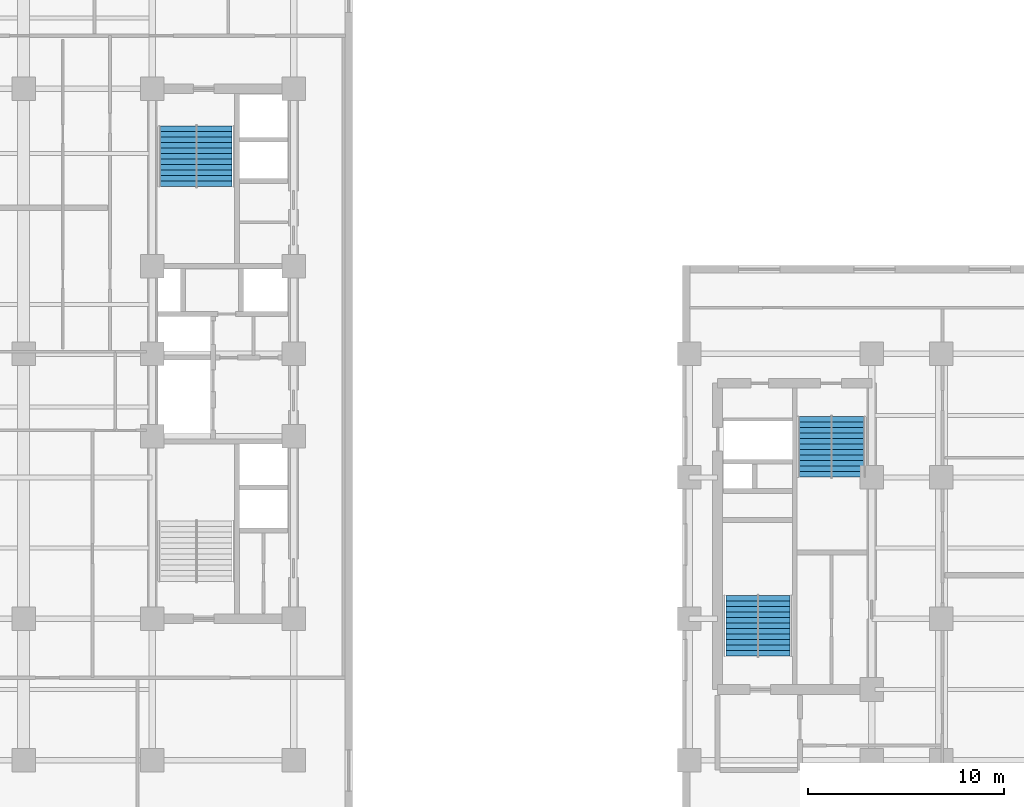
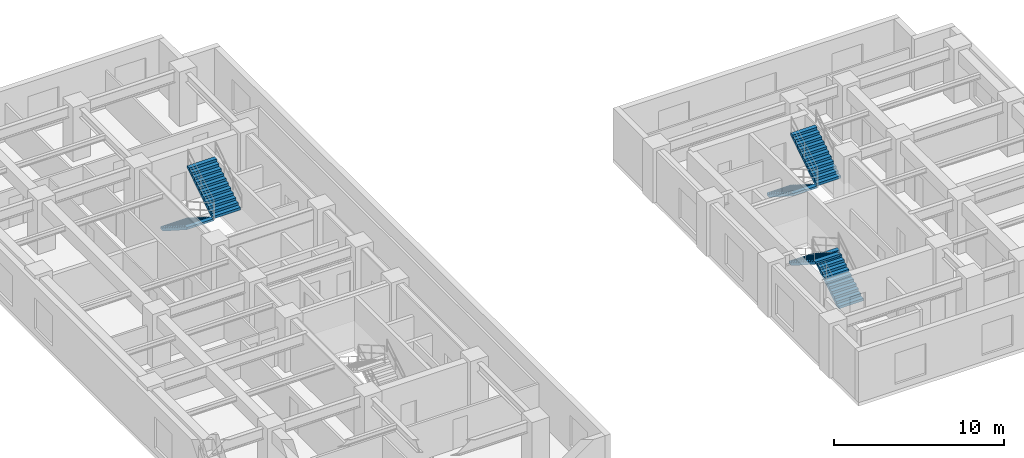
# One storey, part 6 of 9: 6 stair flights, 3 elements without a shape of their own.
"""IFC4 building model written with IfcOpenShell, lengths in metres."""

from ifc_helpers import new_model, entity, si_unit, converted_unit, direction, frame, origin_with_axes, place, context, subcontext, project, spatial, polyline, outline, extrude, material, type_object, element, aggregate, save


model = new_model("IFC4")

# Units and contexts
model_context = context("Model", 3, precision=1e-05, world=origin_with_axes(), true_north=direction((0.0, 1.0)))
body_context = subcontext(model_context, "Body", "Model", "MODEL_VIEW")
ifc_project = project(units=[si_unit("LENGTHUNIT", "METRE"), si_unit("AREAUNIT", "SQUARE_METRE"), si_unit("VOLUMEUNIT", "CUBIC_METRE"), converted_unit("PLANEANGLEUNIT", "DEGREE", entity("IfcPlaneAngleMeasure", 0.017453292519943295), si_unit("PLANEANGLEUNIT", "RADIAN"), dimensions=[0, 0, 0, 0, 0, 0, 0]), si_unit("MASSUNIT", "GRAM", prefix="KILO"), si_unit("THERMODYNAMICTEMPERATUREUNIT", "KELVIN")], contexts=[model_context])

# Site, building, storey
site_placement = place(None, origin_with_axes())
site = spatial("IfcSite", under=ifc_project, at=site_placement, CompositionType="ELEMENT")
building_placement = place(site_placement, origin_with_axes())
building = spatial("IfcBuilding", under=site, at=building_placement, Name="Varnlund Millrace Tower", CompositionType="ELEMENT")
storey_placement = place(building_placement, frame((0.0, 0.0, 112.5), z_axis=(0.0, 0.0, 1.0), x_axis=(1.0, 0.0, 0.0)))
storey = spatial("IfcBuildingStorey", under=building, at=storey_placement, Name="L27", CompositionType="ELEMENT", Elevation=112.5)

# Stair, stair flights
ifc_material_1 = material(Name="Concrete C50/60", Category="concrete")
stair_type_1 = type_object("IfcStairType", Name="Type-Stair-Dogleg-165-390", PredefinedType="HALF_TURN_STAIR", material=ifc_material_1)
stair_1_placement = place(storey_placement, origin_with_axes())
stair_1 = element("IfcStair", 1, at=stair_1_placement, inside=storey, type_object=stair_type_1, Name="Type-Stair-Dogleg-165-390", PredefinedType="HALF_TURN_STAIR")
ifc_material_2 = material(Name="Precast concrete C50/60", Category="concrete")
stair_flight_type_1 = type_object("IfcStairFlightType", Name="Type-Dogleg-Run-165-390", PredefinedType="STRAIGHT", material=ifc_material_2)
stair_flight_1_placement = place(storey_placement, frame((42.225, 8.9, 0.0), z_axis=(1.0, 0.0, 0.0), x_axis=(0.0, 1.0, 0.0)))
stair_flight_1 = element("IfcStairFlight", 2, at=stair_flight_1_placement, type_object=stair_flight_type_1, Name="ST-B1 flight 1", NumberOfRisers=11, NumberOfTreads=11, PredefinedType="STRAIGHT", RiserHeight=0.177273, TreadLength=0.28, context=body_context, shape_type="SweptSolid", body=[
    extrude(outline(polyline([(0.0, 0.0), (0.0, 0.177273), (0.28, 0.177273), (0.28, 0.354545), (0.56, 0.354545), (0.56, 0.531818), (0.84, 0.531818), (0.84, 0.709091), (1.12, 0.709091), (1.12, 0.886364), (1.4, 0.886364), (1.4, 1.063636), (1.68, 1.063636), (1.68, 1.240909), (1.96, 1.240909), (1.96, 1.418182), (2.24, 1.418182), (2.24, 1.595454), (2.52, 1.595454), (2.52, 1.772727), (2.8, 1.772727), (2.8, 1.95), (3.08, 1.95), (3.08, 1.8), (0.28, 0.0), (0.0, 0.0)])), origin_with_axes(), (0.0, 0.0, 1.0), 1.65),
])
stair_flight_2_placement = place(storey_placement, frame((42.275, 11.98, 1.95), z_axis=(-1.0, 0.0, 0.0), x_axis=(0.0, -1.0, 0.0)))
stair_flight_2 = element("IfcStairFlight", 3, at=stair_flight_2_placement, type_object=stair_flight_type_1, Name="ST-B1 flight 2", NumberOfRisers=11, NumberOfTreads=11, PredefinedType="STRAIGHT", RiserHeight=0.177273, TreadLength=0.28, context=body_context, shape_type="SweptSolid", body=[
    extrude(outline(polyline([(0.0, 0.0), (0.0, 0.177273), (0.28, 0.177273), (0.28, 0.354545), (0.56, 0.354545), (0.56, 0.531818), (0.84, 0.531818), (0.84, 0.709091), (1.12, 0.709091), (1.12, 0.886364), (1.4, 0.886364), (1.4, 1.063636), (1.68, 1.063636), (1.68, 1.240909), (1.96, 1.240909), (1.96, 1.418182), (2.24, 1.418182), (2.24, 1.595454), (2.52, 1.595454), (2.52, 1.772727), (2.8, 1.772727), (2.8, 1.95), (3.08, 1.95), (3.08, 1.8), (0.28, 0.0), (0.0, 0.0)])), origin_with_axes(), (0.0, 0.0, 1.0), 1.65),
])
aggregate(stair_1, [stair_flight_1, stair_flight_2])

stair_2_placement = place(storey_placement, origin_with_axes())
stair_2 = element("IfcStair", 4, at=stair_2_placement, inside=storey, type_object=stair_type_1, Name="Type-Stair-Dogleg-165-390", PredefinedType="HALF_TURN_STAIR")
stair_flight_3_placement = place(storey_placement, frame((46.025, 21.1, 0.0), z_axis=(-1.0, 0.0, 0.0), x_axis=(0.0, -1.0, 0.0)))
stair_flight_3 = element("IfcStairFlight", 5, at=stair_flight_3_placement, type_object=stair_flight_type_1, Name="ST-B2 flight 1", NumberOfRisers=11, NumberOfTreads=11, PredefinedType="STRAIGHT", RiserHeight=0.177273, TreadLength=0.28, context=body_context, shape_type="SweptSolid", body=[
    extrude(outline(polyline([(0.0, 0.0), (0.0, 0.177273), (0.28, 0.177273), (0.28, 0.354545), (0.56, 0.354545), (0.56, 0.531818), (0.84, 0.531818), (0.84, 0.709091), (1.12, 0.709091), (1.12, 0.886364), (1.4, 0.886364), (1.4, 1.063636), (1.68, 1.063636), (1.68, 1.240909), (1.96, 1.240909), (1.96, 1.418182), (2.24, 1.418182), (2.24, 1.595454), (2.52, 1.595454), (2.52, 1.772727), (2.8, 1.772727), (2.8, 1.95), (3.08, 1.95), (3.08, 1.8), (0.28, 0.0), (0.0, 0.0)])), origin_with_axes(), (0.0, 0.0, 1.0), 1.65),
])
stair_flight_4_placement = place(storey_placement, frame((45.975, 18.02, 1.95), z_axis=(1.0, 0.0, 0.0), x_axis=(0.0, 1.0, 0.0)))
stair_flight_4 = element("IfcStairFlight", 6, at=stair_flight_4_placement, type_object=stair_flight_type_1, Name="ST-B2 flight 2", NumberOfRisers=11, NumberOfTreads=11, PredefinedType="STRAIGHT", RiserHeight=0.177273, TreadLength=0.28, context=body_context, shape_type="SweptSolid", body=[
    extrude(outline(polyline([(0.0, 0.0), (0.0, 0.177273), (0.28, 0.177273), (0.28, 0.354545), (0.56, 0.354545), (0.56, 0.531818), (0.84, 0.531818), (0.84, 0.709091), (1.12, 0.709091), (1.12, 0.886364), (1.4, 0.886364), (1.4, 1.063636), (1.68, 1.063636), (1.68, 1.240909), (1.96, 1.240909), (1.96, 1.418182), (2.24, 1.418182), (2.24, 1.595454), (2.52, 1.595454), (2.52, 1.772727), (2.8, 1.772727), (2.8, 1.95), (3.08, 1.95), (3.08, 1.8), (0.28, 0.0), (0.0, 0.0)])), origin_with_axes(), (0.0, 0.0, 1.0), 1.65),
])
aggregate(stair_2, [stair_flight_3, stair_flight_4])

stair_type_2 = type_object("IfcStairType", Name="Type-Stair-Dogleg-185-390", PredefinedType="HALF_TURN_STAIR", material=ifc_material_1)
stair_3_placement = place(storey_placement, origin_with_axes())
stair_3 = element("IfcStair", 7, at=stair_3_placement, inside=storey, type_object=stair_type_2, Name="Type-Stair-Dogleg-185-390", PredefinedType="HALF_TURN_STAIR")
stair_flight_type_2 = type_object("IfcStairFlightType", Name="Type-Dogleg-Run-185-390", PredefinedType="STRAIGHT", material=ifc_material_2)
stair_flight_5_placement = place(storey_placement, frame((13.675, 35.9, 0.0), z_axis=(-1.0, 0.0, 0.0), x_axis=(0.0, -1.0, 0.0)))
stair_flight_5 = element("IfcStairFlight", 8, at=stair_flight_5_placement, type_object=stair_flight_type_2, Name="ST-A2 flight 1", NumberOfRisers=11, NumberOfTreads=11, PredefinedType="STRAIGHT", RiserHeight=0.177273, TreadLength=0.28, context=body_context, shape_type="SweptSolid", body=[
    extrude(outline(polyline([(0.0, 0.0), (0.0, 0.177273), (0.28, 0.177273), (0.28, 0.354545), (0.56, 0.354545), (0.56, 0.531818), (0.84, 0.531818), (0.84, 0.709091), (1.12, 0.709091), (1.12, 0.886364), (1.4, 0.886364), (1.4, 1.063636), (1.68, 1.063636), (1.68, 1.240909), (1.96, 1.240909), (1.96, 1.418182), (2.24, 1.418182), (2.24, 1.595454), (2.52, 1.595454), (2.52, 1.772727), (2.8, 1.772727), (2.8, 1.95), (3.08, 1.95), (3.08, 1.8), (0.28, 0.0), (0.0, 0.0)])), origin_with_axes(), (0.0, 0.0, 1.0), 1.85),
])
stair_flight_6_placement = place(storey_placement, frame((13.625, 32.82, 1.95), z_axis=(1.0, 0.0, 0.0), x_axis=(0.0, 1.0, 0.0)))
stair_flight_6 = element("IfcStairFlight", 9, at=stair_flight_6_placement, type_object=stair_flight_type_2, Name="ST-A2 flight 2", NumberOfRisers=11, NumberOfTreads=11, PredefinedType="STRAIGHT", RiserHeight=0.177273, TreadLength=0.28, context=body_context, shape_type="SweptSolid", body=[
    extrude(outline(polyline([(0.0, 0.0), (0.0, 0.177273), (0.28, 0.177273), (0.28, 0.354545), (0.56, 0.354545), (0.56, 0.531818), (0.84, 0.531818), (0.84, 0.709091), (1.12, 0.709091), (1.12, 0.886364), (1.4, 0.886364), (1.4, 1.063636), (1.68, 1.063636), (1.68, 1.240909), (1.96, 1.240909), (1.96, 1.418182), (2.24, 1.418182), (2.24, 1.595454), (2.52, 1.595454), (2.52, 1.772727), (2.8, 1.772727), (2.8, 1.95), (3.08, 1.95), (3.08, 1.8), (0.28, 0.0), (0.0, 0.0)])), origin_with_axes(), (0.0, 0.0, 1.0), 1.85),
])
aggregate(stair_3, [stair_flight_5, stair_flight_6])

save(model, "model.ifc")
